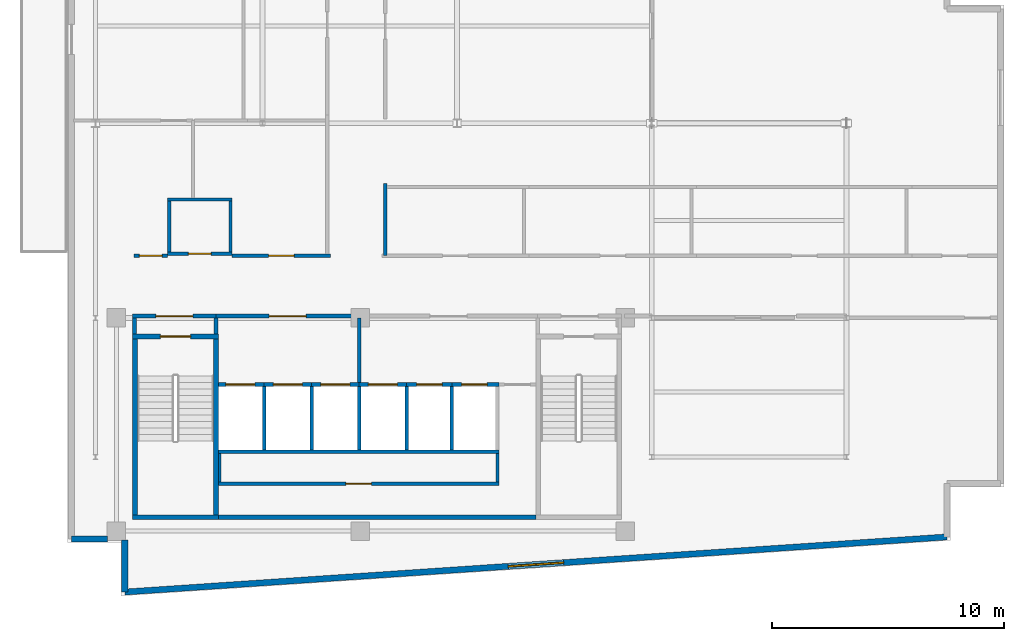
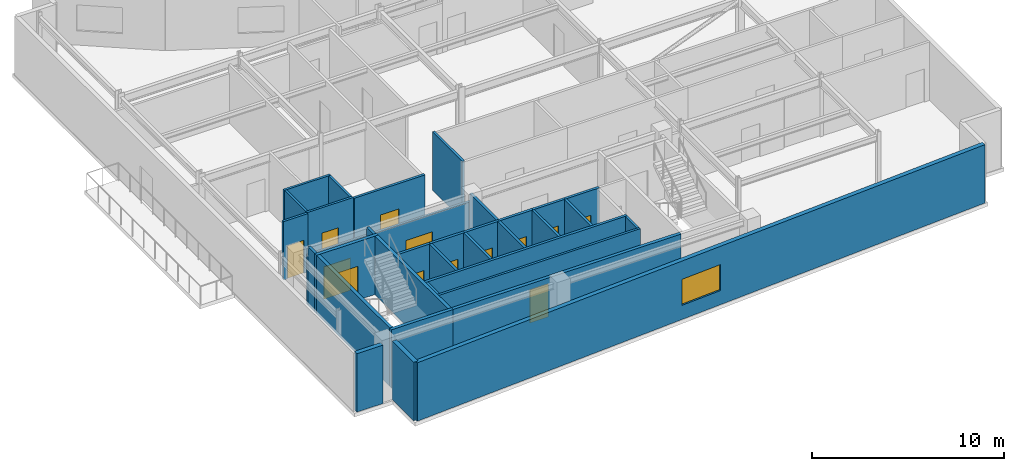
# One storey, part 11 of 16: 35 walls, 13 doors, 1 window, 14 openings.
"""IFC4 building model written with IfcOpenShell, lengths in metres."""

from ifc_helpers import new_model, si_unit, direction, frame, frame_2d, origin, place, context, subcontext, project, spatial, rectangle, extrude, material, layer, layer_set, type_object, element, fill, save


model = new_model("IFC4")

# Units and contexts
model_context = context("Model", 3, precision=1e-05, world=origin(), true_north=direction((0.0, 1.0)))
body_context = subcontext(model_context, "Body", "Model", "MODEL_VIEW")
ifc_project = project(units=[si_unit("LENGTHUNIT", "METRE"), si_unit("AREAUNIT", "SQUARE_METRE"), si_unit("VOLUMEUNIT", "CUBIC_METRE"), si_unit("PLANEANGLEUNIT", "RADIAN"), si_unit("MASSUNIT", "GRAM", prefix="KILO")], contexts=[model_context])

# Site, building, storey
site_placement = place(None, origin())
site = spatial("IfcSite", under=ifc_project, at=site_placement, CompositionType="ELEMENT")
building_placement = place(site_placement, origin())
building = spatial("IfcBuilding", under=site, at=building_placement, Name="Varnakote Quay Hospital", CompositionType="ELEMENT")
storey_placement = place(building_placement, frame((0.0, 0.0, 288.14990234375)))
storey = spatial("IfcBuildingStorey", under=building, at=storey_placement, Name="L71", CompositionType="ELEMENT", Elevation=288.14990234375)

# Wall
ifc_material_1 = material(Name="Fire-rated acoustic gypsum stud wall", Category="gypsum")
ifc_layer_1 = layer(ifc_material_1, 0.159912109375)
ifc_layer_set_1 = layer_set([ifc_layer_1], Name="Fire-rated acoustic gypsum stud wall")
wall_type_1 = type_object("IfcWallType", Name="WL-COMP-160", PredefinedType="PARTITIONING", material=ifc_layer_set_1)
wall_1_placement = place(storey_placement, frame((2.8798828125, 11.300048828125, 0.0), z_axis=(0.0, 0.0, 1.0), x_axis=(0.0, 1.0, 0.0)))
element("IfcWall", 1, at=wall_1_placement, inside=storey, type_object=wall_type_1, Name="L71 West Stair Vestibule West Wall", PredefinedType="PARTITIONING", context=body_context, shape_type="SweptSolid", body=[
    extrude(rectangle(XDim=0.699951171875, YDim=0.159912109375, at=frame_2d((0.35009765625, 0.0))), origin(), (0.0, 0.0, 1.0), 3.710205078125),
])

# Wall, opening, door
wall_2_placement = place(storey_placement, frame((2.800048828125, 12.080078125, 0.0), z_axis=(0.0, 0.0, 1.0), x_axis=(1.0, 0.0, 0.0)))
wall_2 = element("IfcWall", 2, at=wall_2_placement, inside=storey, type_object=wall_type_1, Name="L71 West Stair Vestibule Smoke Wall", PredefinedType="PARTITIONING", context=body_context, shape_type="SweptSolid", body=[
    extrude(rectangle(XDim=3.599853515625, YDim=0.159912109375, at=frame_2d((1.7998046875, 0.0))), origin(), (0.0, 0.0, 1.0), 3.156982421875),
])
opening_1_placement = place(wall_2_placement, frame((1.0, 0.0, 0.0)))
opening_1 = element("IfcOpeningElement", 3, at=opening_1_placement, cuts=wall_2, Name="Opening D-ST1L-L71", PredefinedType="OPENING", context=body_context, shape_type="SweptSolid", body=[
    extrude(rectangle(XDim=1.60009765625, YDim=2.050048828125, at=frame_2d((0.800048828125, 1.02490234375))), frame((0.0, 0.08984375, 0.0), z_axis=(0.0, -1.0, 0.0), x_axis=(1.0, 0.0, 0.0)), (0.0, 0.0, 1.0), 0.179931640625),
])
ifc_material_2 = material(Name="Fire-rated double smoke lobby door")
door_type_1 = type_object("IfcDoorType", Name="DR-LOBBY-FD60S-1600x2150", OperationType="NOTDEFINED", PredefinedType="DOOR", material=ifc_material_2)
door_1_placement = place(opening_1_placement, origin())
door_1 = element("IfcDoor", 4, at=door_1_placement, inside=storey, type_object=door_type_1, Name="L71 West Stair Vestibule Smoke Door", OperationType="DOUBLE_DOOR_SINGLE_SWING", OverallHeight=2.050048828125, OverallWidth=1.60009765625, PredefinedType="DOOR", context=body_context, shape_type="SweptSolid", body=[
    extrude(rectangle(XDim=1.60009765625, YDim=2.050048828125, at=frame_2d((0.800048828125, 1.02490234375))), frame((0.0, 0.02490234375, 0.0), z_axis=(0.0, -1.0, 0.0), x_axis=(1.0, 0.0, 0.0)), (0.0, 0.0, 1.0), 0.050048828125),
])
fill(opening_1, door_1)

# Wall
wall_3_placement = place(storey_placement, frame((6.39990234375, 11.300048828125, 0.0), z_axis=(0.0, 0.0, 1.0), x_axis=(0.0, 1.0, 0.0)))
element("IfcWall", 5, at=wall_3_placement, inside=storey, type_object=wall_type_1, Name="L71 Firefighting Lobby West Wall", PredefinedType="PARTITIONING", context=body_context, shape_type="SweptSolid", body=[
    extrude(rectangle(XDim=0.699951171875, YDim=0.159912109375, at=frame_2d((0.35009765625, 0.0))), origin(), (0.0, 0.0, 1.0), 3.710205078125),
])

# Wall, opening, door
wall_4_placement = place(storey_placement, frame((6.39990234375, 12.080078125, 0.0), z_axis=(0.0, 0.0, 1.0), x_axis=(1.0, 0.0, 0.0)))
wall_4 = element("IfcWall", 6, at=wall_4_placement, inside=storey, type_object=wall_type_1, Name="L71 Firefighting Lift Lobby Compartment Wall", PredefinedType="PARTITIONING", context=body_context, shape_type="SweptSolid", body=[
    extrude(rectangle(XDim=6.18017578125, YDim=0.159912109375, at=frame_2d((3.090087890625, 0.0))), origin(), (0.0, 0.0, 1.0), 3.156982421875),
])
opening_2_placement = place(wall_4_placement, frame((2.2900390625, 0.0, 0.0)))
opening_2 = element("IfcOpeningElement", 7, at=opening_2_placement, cuts=wall_4, Name="Opening D-FFL-L71", PredefinedType="OPENING", context=body_context, shape_type="SweptSolid", body=[
    extrude(rectangle(XDim=1.60009765625, YDim=2.050048828125, at=frame_2d((0.800048828125, 1.02490234375))), frame((0.0, 0.08984375, 0.0), z_axis=(0.0, -1.0, 0.0), x_axis=(1.0, 0.0, 0.0)), (0.0, 0.0, 1.0), 0.179931640625),
])
door_2_placement = place(opening_2_placement, origin())
door_2 = element("IfcDoor", 8, at=door_2_placement, inside=storey, type_object=door_type_1, Name="L71 Firefighting Smoke Vestibule Door", OperationType="DOUBLE_DOOR_SINGLE_SWING", OverallHeight=2.050048828125, OverallWidth=1.60009765625, PredefinedType="DOOR", context=body_context, shape_type="SweptSolid", body=[
    extrude(rectangle(XDim=1.60009765625, YDim=2.050048828125, at=frame_2d((0.800048828125, 1.02490234375))), frame((0.0, 0.02490234375, 0.0), z_axis=(0.0, -1.0, 0.0), x_axis=(1.0, 0.0, 0.0)), (0.0, 0.0, 1.0), 0.050048828125),
])
fill(opening_2, door_2)

# Walls
wall_5_placement = place(storey_placement, frame((12.580078125, 9.2099609375, 0.0), z_axis=(0.0, 0.0, 1.0), x_axis=(0.0, 1.0, 0.0)))
element("IfcWall", 9, at=wall_5_placement, inside=storey, type_object=wall_type_1, Name="L71 Firefighting to Service Lobby Wall", PredefinedType="PARTITIONING", context=body_context, shape_type="SweptSolid", body=[
    extrude(rectangle(XDim=2.7900390625, YDim=0.159912109375, at=frame_2d((1.39501953125, 0.0))), origin(), (0.0, 0.0, 1.0), 3.710205078125),
])
ifc_material_3 = material(Name="Concrete N50 (f'c 50 MPa)", Category="concrete")
ifc_layer_2 = layer(ifc_material_3, 0.199951171875)
ifc_layer_set_2 = layer_set([ifc_layer_2], Name="Concrete N50 (f'c 50 MPa)")
wall_type_2 = type_object("IfcWallType", Name="WL-CORE-N50-200", PredefinedType="SHEAR", material=ifc_layer_set_2)
wall_6_placement = place(storey_placement, frame((6.5, 3.39990234375, 0.0), z_axis=(0.0, 0.0, 1.0), x_axis=(1.0, 0.0, 0.0)))
element("IfcWall", 10, at=wall_6_placement, inside=storey, type_object=wall_type_2, Name="L71 Rear Core South Shear Wall", PredefinedType="SHEAR", context=body_context, shape_type="SweptSolid", body=[
    extrude(rectangle(XDim=13.699951171875, YDim=0.199951171875, at=frame_2d((6.85009765625, 0.0))), origin(), (0.0, 0.0, 1.0), 3.710205078125),
])
ifc_material_4 = material(Name="Precast concrete N50 (f'c 50 MPa)", Category="concrete")
ifc_layer_3 = layer(ifc_material_4, 0.260009765625)
ifc_layer_set_3 = layer_set([ifc_layer_3], Name="Precast concrete N50 (f'c 50 MPa)")
wall_type_3 = type_object("IfcWallType", Name="WL-EXT-BRICK-260", PredefinedType="STANDARD", material=ifc_layer_set_3)
wall_7_placement = place(storey_placement, frame((2.4599609375, 2.4150390625, 0.0), z_axis=(0.0, 0.0, 1.0), x_axis=(0.0, -1.0, 0.0)))
element("IfcWall", 11, at=wall_7_placement, inside=storey, type_object=wall_type_3, Name="L71 Brick-Faced Precast Exterior Wall", PredefinedType="STANDARD", context=body_context, shape_type="SweptSolid", body=[
    extrude(rectangle(XDim=2.243896484375, YDim=0.260009765625, at=frame_2d((1.1220703125, 0.0))), origin(), (0.0, 0.0, 1.0), 3.710205078125),
])

# Wall, opening, window
wall_8_placement = place(storey_placement, frame((2.4599609375, 0.171142578125, 0.0), z_axis=(0.0, 0.0, 1.0), x_axis=(0.997760665813, 0.066885377746, 0.0)))
wall_8 = element("IfcWall", 12, at=wall_8_placement, inside=storey, type_object=wall_type_3, Name="L71 Brick-Faced Precast Exterior Wall", PredefinedType="STANDARD", context=body_context, shape_type="SweptSolid", body=[
    extrude(rectangle(XDim=35.5595703125, YDim=0.260009765625, at=frame_2d((17.77978515625, 0.0))), origin(), (0.0, 0.0, 1.0), 3.710205078125),
])
opening_3_placement = place(wall_8_placement, frame((16.579833984375, 0.0, 0.89990234375)))
opening_3 = element("IfcOpeningElement", 13, at=opening_3_placement, cuts=wall_8, Name="Opening WN-0286", PredefinedType="OPENING", context=body_context, shape_type="SweptSolid", body=[
    extrude(rectangle(XDim=2.39990234375, YDim=1.64990234375, at=frame_2d((1.199951171875, 0.824951171875))), frame((0.0, 0.139892578125, 0.0), z_axis=(0.0, -1.0, 0.0), x_axis=(1.0, 0.0, 0.0)), (0.0, 0.0, 1.0), 0.280029296875),
])
ifc_material_5 = material(Name="Double-glazed low-E solar glass", Category="glass")
window_type = type_object("IfcWindowType", Name="WIN-CLIN-2400x1650", PartitioningType="SINGLE_PANEL", PredefinedType="WINDOW", material=ifc_material_5)
window_placement = place(opening_3_placement, origin())
window = element("IfcWindow", 14, at=window_placement, inside=storey, type_object=window_type, Name="L71 Solar-Control Clinical Window", OverallHeight=1.64990234375, OverallWidth=2.39990234375, PartitioningType="SINGLE_PANEL", PredefinedType="WINDOW", context=body_context, shape_type="SweptSolid", body=[
    extrude(rectangle(XDim=2.39990234375, YDim=1.64990234375, at=frame_2d((1.199951171875, 0.824951171875))), frame((0.0, 0.030029296875, 0.0), z_axis=(0.0, -1.0, 0.0), x_axis=(1.0, 0.0, 0.0)), (0.0, 0.0, 1.0), 0.06005859375),
])
fill(opening_3, window)

# Walls
wall_9_placement = place(storey_placement, frame((0.159912109375, 2.4599609375, 0.0), z_axis=(0.0, 0.0, 1.0), x_axis=(1.0, 0.0, 0.0)))
element("IfcWall", 15, at=wall_9_placement, inside=storey, type_object=wall_type_3, Name="L71 Brick-Faced Precast Exterior Wall", PredefinedType="STANDARD", context=body_context, shape_type="SweptSolid", body=[
    extrude(rectangle(XDim=1.55517578125, YDim=0.260009765625, at=frame_2d((0.777587890625, 0.0))), origin(), (0.0, 0.0, 1.0), 3.710205078125),
])
ifc_material_6 = material(Name="Concrete N50 (f'c 50 MPa)", Category="concrete")
ifc_layer_4 = layer(ifc_material_6, 0.14990234375)
ifc_layer_set_4 = layer_set([ifc_layer_4], Name="Concrete N50 (f'c 50 MPa)")
wall_type_4 = type_object("IfcWallType", Name="WL-SHAFT-N50-150", PredefinedType="SHEAR", material=ifc_layer_set_4)
for number, where, z_axis, x_axis, name in (
    (16, (8.47509765625, 6.300048828125, 0.0), (0.0, 0.0, 1.0), (0.0, 1.0, 0.0), "L71 LF-FF1 Hoistway Divider Wall"),
    (17, (10.52490234375, 6.300048828125, 0.0), (0.0, 0.0, 1.0), (0.0, 1.0, 0.0), "L71 LF-FF2 Hoistway Divider Wall"),
    (18, (12.574951171875, 6.300048828125, 0.0), (0.0, 0.0, 1.0), (0.0, 1.0, 0.0), "L71 LF-SV1 Hoistway Divider Wall"),
    (19, (14.625, 6.300048828125, 0.0), (0.0, 0.0, 1.0), (0.0, 1.0, 0.0), "L71 LF-SV2 Hoistway Divider Wall"),
    (20, (16.574951171875, 6.300048828125, 0.0), (0.0, 0.0, 1.0), (0.0, 1.0, 0.0), "L71 LF-PH1 Hoistway Divider Wall"),
):
    element("IfcWall", number, at=place(storey_placement, frame(where, z_axis=z_axis, x_axis=x_axis)), inside=storey, type_object=wall_type_4, Name=name, PredefinedType="SHEAR", context=body_context, shape_type="SweptSolid", body=[
        extrude(rectangle(XDim=2.75, YDim=0.14990234375, at=frame_2d((1.375, 0.0))), origin(), (0.0, 0.0, 1.0), 3.710205078125),
    ])
ifc_material_7 = material(Name="Concrete N50 (f'c 50 MPa)", Category="concrete")
ifc_layer_5 = layer(ifc_material_7, 0.159912109375)
ifc_layer_set_5 = layer_set([ifc_layer_5], Name="Concrete N50 (f'c 50 MPa)")
wall_type_5 = type_object("IfcWallType", Name="WL-SHAFT-N50-160", PredefinedType="SHEAR", material=ifc_layer_set_5)
wall_10_placement = place(storey_placement, frame((6.5, 6.219970703125, 0.0), z_axis=(0.0, 0.0, 1.0), x_axis=(1.0, 0.0, 0.0)))
element("IfcWall", 21, at=wall_10_placement, inside=storey, type_object=wall_type_5, Name="L71 REAR Lift Bank Back Shear Wall", PredefinedType="SHEAR", context=body_context, shape_type="SweptSolid", body=[
    extrude(rectangle(XDim=12.110107421875, YDim=0.159912109375, at=frame_2d((6.05517578125, 0.0))), origin(), (0.0, 0.0, 1.0), 3.710205078125),
])

# Wall, opening, door
wall_11_placement = place(storey_placement, frame((6.5, 9.1298828125, 0.0), z_axis=(0.0, 0.0, 1.0), x_axis=(1.0, 0.0, 0.0)))
wall_11 = element("IfcWall", 22, at=wall_11_placement, inside=storey, type_object=wall_type_5, Name="L71 LF-FF1 Hoistway Front Wall", PredefinedType="SHEAR", context=body_context, shape_type="SweptSolid", body=[
    extrude(rectangle(XDim=1.97509765625, YDim=0.159912109375, at=frame_2d((0.987548828125, 0.0))), origin(), (0.0, 0.0, 1.0), 3.710205078125),
])
opening_4_placement = place(wall_11_placement, frame((0.324951171875, 0.0, 0.0)))
opening_4 = element("IfcOpeningElement", 23, at=opening_4_placement, cuts=wall_11, Name="Opening LD-FF1-L71", PredefinedType="OPENING", context=body_context, shape_type="SweptSolid", body=[
    extrude(rectangle(XDim=1.25, YDim=2.14990234375, at=frame_2d((0.625, 1.074951171875))), frame((0.0, 0.08984375, 0.0), z_axis=(0.0, -1.0, 0.0), x_axis=(1.0, 0.0, 0.0)), (0.0, 0.0, 1.0), 0.179931640625),
])
ifc_material_8 = material(Name="Stainless steel lift landing sliding door", Category="steel")
door_type_2 = type_object("IfcDoorType", Name="DR-LIFT-LD-1250x2150", OperationType="NOTDEFINED", PredefinedType="DOOR", material=ifc_material_8)
door_3_placement = place(opening_4_placement, origin())
door_3 = element("IfcDoor", 24, at=door_3_placement, inside=storey, type_object=door_type_2, Name="L71 LF-FF1 Lift Landing Sliding Door", OperationType="SLIDING_TO_LEFT", OverallHeight=2.14990234375, OverallWidth=1.25, PredefinedType="DOOR", context=body_context, shape_type="SweptSolid", body=[
    extrude(rectangle(XDim=1.25, YDim=2.14990234375, at=frame_2d((0.625, 1.074951171875))), frame((0.0, 0.02490234375, 0.0), z_axis=(0.0, -1.0, 0.0), x_axis=(1.0, 0.0, 0.0)), (0.0, 0.0, 1.0), 0.050048828125),
])
fill(opening_4, door_3)

wall_12_placement = place(storey_placement, frame((8.47509765625, 9.1298828125, 0.0), z_axis=(0.0, 0.0, 1.0), x_axis=(1.0, 0.0, 0.0)))
wall_12 = element("IfcWall", 25, at=wall_12_placement, inside=storey, type_object=wall_type_5, Name="L71 LF-FF2 Hoistway Front Wall", PredefinedType="SHEAR", context=body_context, shape_type="SweptSolid", body=[
    extrude(rectangle(XDim=2.0498046875, YDim=0.159912109375, at=frame_2d((1.02490234375, 0.0))), origin(), (0.0, 0.0, 1.0), 3.710205078125),
])
opening_5_placement = place(wall_12_placement, frame((0.39990234375, 0.0, 0.0)))
opening_5 = element("IfcOpeningElement", 26, at=opening_5_placement, cuts=wall_12, Name="Opening LD-FF2-L71", PredefinedType="OPENING", context=body_context, shape_type="SweptSolid", body=[
    extrude(rectangle(XDim=1.25, YDim=2.14990234375, at=frame_2d((0.625, 1.074951171875))), frame((0.0, 0.08984375, 0.0), z_axis=(0.0, -1.0, 0.0), x_axis=(1.0, 0.0, 0.0)), (0.0, 0.0, 1.0), 0.179931640625),
])
door_4_placement = place(opening_5_placement, origin())
door_4 = element("IfcDoor", 27, at=door_4_placement, inside=storey, type_object=door_type_2, Name="L71 LF-FF2 Lift Landing Sliding Door", OperationType="SLIDING_TO_LEFT", OverallHeight=2.14990234375, OverallWidth=1.25, PredefinedType="DOOR", context=body_context, shape_type="SweptSolid", body=[
    extrude(rectangle(XDim=1.25, YDim=2.14990234375, at=frame_2d((0.625, 1.074951171875))), frame((0.0, 0.02490234375, 0.0), z_axis=(0.0, -1.0, 0.0), x_axis=(1.0, 0.0, 0.0)), (0.0, 0.0, 1.0), 0.050048828125),
])
fill(opening_5, door_4)

wall_13_placement = place(storey_placement, frame((10.52490234375, 9.1298828125, 0.0), z_axis=(0.0, 0.0, 1.0), x_axis=(1.0, 0.0, 0.0)))
wall_13 = element("IfcWall", 28, at=wall_13_placement, inside=storey, type_object=wall_type_5, Name="L71 LF-SV1 Hoistway Front Wall", PredefinedType="SHEAR", context=body_context, shape_type="SweptSolid", body=[
    extrude(rectangle(XDim=2.050048828125, YDim=0.159912109375, at=frame_2d((1.02490234375, 0.0))), origin(), (0.0, 0.0, 1.0), 3.710205078125),
])
opening_6_placement = place(wall_13_placement, frame((0.39990234375, 0.0, 0.0)))
opening_6 = element("IfcOpeningElement", 29, at=opening_6_placement, cuts=wall_13, Name="Opening LD-SV1-L71", PredefinedType="OPENING", context=body_context, shape_type="SweptSolid", body=[
    extrude(rectangle(XDim=1.25, YDim=2.14990234375, at=frame_2d((0.625, 1.074951171875))), frame((0.0, 0.08984375, 0.0), z_axis=(0.0, -1.0, 0.0), x_axis=(1.0, 0.0, 0.0)), (0.0, 0.0, 1.0), 0.179931640625),
])
door_5_placement = place(opening_6_placement, origin())
door_5 = element("IfcDoor", 30, at=door_5_placement, inside=storey, type_object=door_type_2, Name="L71 LF-SV1 Lift Landing Sliding Door", OperationType="SLIDING_TO_LEFT", OverallHeight=2.14990234375, OverallWidth=1.25, PredefinedType="DOOR", context=body_context, shape_type="SweptSolid", body=[
    extrude(rectangle(XDim=1.25, YDim=2.14990234375, at=frame_2d((0.625, 1.074951171875))), frame((0.0, 0.02490234375, 0.0), z_axis=(0.0, -1.0, 0.0), x_axis=(1.0, 0.0, 0.0)), (0.0, 0.0, 1.0), 0.050048828125),
])
fill(opening_6, door_5)

wall_14_placement = place(storey_placement, frame((12.574951171875, 9.1298828125, 0.0), z_axis=(0.0, 0.0, 1.0), x_axis=(1.0, 0.0, 0.0)))
wall_14 = element("IfcWall", 31, at=wall_14_placement, inside=storey, type_object=wall_type_5, Name="L71 LF-SV2 Hoistway Front Wall", PredefinedType="SHEAR", context=body_context, shape_type="SweptSolid", body=[
    extrude(rectangle(XDim=2.050048828125, YDim=0.159912109375, at=frame_2d((1.02490234375, 0.0))), origin(), (0.0, 0.0, 1.0), 3.710205078125),
])
opening_7_placement = place(wall_14_placement, frame((0.39990234375, 0.0, 0.0)))
opening_7 = element("IfcOpeningElement", 32, at=opening_7_placement, cuts=wall_14, Name="Opening LD-SV2-L71", PredefinedType="OPENING", context=body_context, shape_type="SweptSolid", body=[
    extrude(rectangle(XDim=1.25, YDim=2.14990234375, at=frame_2d((0.625, 1.074951171875))), frame((0.0, 0.08984375, 0.0), z_axis=(0.0, -1.0, 0.0), x_axis=(1.0, 0.0, 0.0)), (0.0, 0.0, 1.0), 0.179931640625),
])
door_6_placement = place(opening_7_placement, origin())
door_6 = element("IfcDoor", 33, at=door_6_placement, inside=storey, type_object=door_type_2, Name="L71 LF-SV2 Lift Landing Sliding Door", OperationType="SLIDING_TO_LEFT", OverallHeight=2.14990234375, OverallWidth=1.25, PredefinedType="DOOR", context=body_context, shape_type="SweptSolid", body=[
    extrude(rectangle(XDim=1.25, YDim=2.14990234375, at=frame_2d((0.625, 1.074951171875))), frame((0.0, 0.02490234375, 0.0), z_axis=(0.0, -1.0, 0.0), x_axis=(1.0, 0.0, 0.0)), (0.0, 0.0, 1.0), 0.050048828125),
])
fill(opening_7, door_6)

wall_15_placement = place(storey_placement, frame((14.625, 9.1298828125, 0.0), z_axis=(0.0, 0.0, 1.0), x_axis=(1.0, 0.0, 0.0)))
wall_15 = element("IfcWall", 34, at=wall_15_placement, inside=storey, type_object=wall_type_5, Name="L71 LF-PH1 Hoistway Front Wall", PredefinedType="SHEAR", context=body_context, shape_type="SweptSolid", body=[
    extrude(rectangle(XDim=1.949951171875, YDim=0.159912109375, at=frame_2d((0.97509765625, 0.0))), origin(), (0.0, 0.0, 1.0), 3.710205078125),
])
opening_8_placement = place(wall_15_placement, frame((0.425048828125, 0.0, 0.0)))
opening_8 = element("IfcOpeningElement", 35, at=opening_8_placement, cuts=wall_15, Name="Opening LD-PH1-L71", PredefinedType="OPENING", context=body_context, shape_type="SweptSolid", body=[
    extrude(rectangle(XDim=1.10009765625, YDim=2.14990234375, at=frame_2d((0.550048828125, 1.074951171875))), frame((0.0, 0.08984375, 0.0), z_axis=(0.0, -1.0, 0.0), x_axis=(1.0, 0.0, 0.0)), (0.0, 0.0, 1.0), 0.179931640625),
])
ifc_material_9 = material(Name="Brushed bronze lift landing sliding door")
door_type_3 = type_object("IfcDoorType", Name="DR-LIFT-LD-1100x2150", OperationType="NOTDEFINED", PredefinedType="DOOR", material=ifc_material_9)
door_7_placement = place(opening_8_placement, origin())
door_7 = element("IfcDoor", 36, at=door_7_placement, inside=storey, type_object=door_type_3, Name="L71 LF-PH1 Lift Landing Sliding Door", OperationType="SLIDING_TO_LEFT", OverallHeight=2.14990234375, OverallWidth=1.10009765625, PredefinedType="DOOR", context=body_context, shape_type="SweptSolid", body=[
    extrude(rectangle(XDim=1.10009765625, YDim=2.14990234375, at=frame_2d((0.550048828125, 1.074951171875))), frame((0.0, 0.02490234375, 0.0), z_axis=(0.0, -1.0, 0.0), x_axis=(1.0, 0.0, 0.0)), (0.0, 0.0, 1.0), 0.050048828125),
])
fill(opening_8, door_7)

wall_16_placement = place(storey_placement, frame((16.574951171875, 9.1298828125, 0.0), z_axis=(0.0, 0.0, 1.0), x_axis=(1.0, 0.0, 0.0)))
wall_16 = element("IfcWall", 37, at=wall_16_placement, inside=storey, type_object=wall_type_5, Name="L71 LF-PH2 Hoistway Front Wall", PredefinedType="SHEAR", context=body_context, shape_type="SweptSolid", body=[
    extrude(rectangle(XDim=2.03515625, YDim=0.159912109375, at=frame_2d((1.017578125, 0.0))), origin(), (0.0, 0.0, 1.0), 3.710205078125),
])
opening_9_placement = place(wall_16_placement, frame((0.425048828125, 0.0, 0.0)))
opening_9 = element("IfcOpeningElement", 38, at=opening_9_placement, cuts=wall_16, Name="Opening LD-PH2-L71", PredefinedType="OPENING", context=body_context, shape_type="SweptSolid", body=[
    extrude(rectangle(XDim=1.10009765625, YDim=2.14990234375, at=frame_2d((0.550048828125, 1.074951171875))), frame((0.0, 0.08984375, 0.0), z_axis=(0.0, -1.0, 0.0), x_axis=(1.0, 0.0, 0.0)), (0.0, 0.0, 1.0), 0.179931640625),
])
door_8_placement = place(opening_9_placement, origin())
door_8 = element("IfcDoor", 39, at=door_8_placement, inside=storey, type_object=door_type_3, Name="L71 LF-PH2 Lift Landing Sliding Door", OperationType="SLIDING_TO_LEFT", OverallHeight=2.14990234375, OverallWidth=1.10009765625, PredefinedType="DOOR", context=body_context, shape_type="SweptSolid", body=[
    extrude(rectangle(XDim=1.10009765625, YDim=2.14990234375, at=frame_2d((0.550048828125, 1.074951171875))), frame((0.0, 0.02490234375, 0.0), z_axis=(0.0, -1.0, 0.0), x_axis=(1.0, 0.0, 0.0)), (0.0, 0.0, 1.0), 0.050048828125),
])
fill(opening_9, door_8)

# Walls
ifc_material_10 = material(Name="Concrete N50 (f'c 50 MPa)", Category="concrete")
ifc_layer_6 = layer(ifc_material_10, 0.199951171875)
ifc_layer_set_6 = layer_set([ifc_layer_6], Name="Concrete N50 (f'c 50 MPa)")
wall_type_6 = type_object("IfcWallType", Name="WL-SHAFT-N50-200", PredefinedType="SHEAR", material=ifc_layer_set_6)
wall_17_placement = place(storey_placement, frame((2.800048828125, 3.39990234375, 0.0), z_axis=(0.0, 0.0, 1.0), x_axis=(1.0, 0.0, 0.0)))
element("IfcWall", 40, at=wall_17_placement, inside=storey, type_object=wall_type_6, Name="L71 Stair ST1 South Shaft Wall", PredefinedType="SHEAR", context=body_context, shape_type="SweptSolid", body=[
    extrude(rectangle(XDim=3.699951171875, YDim=0.199951171875, at=frame_2d((1.85009765625, 0.0))), origin(), (0.0, 0.0, 1.0), 3.710205078125),
])
for number, where, z_axis, x_axis, name in (
    (41, (2.89990234375, 3.5, 0.0), (0.0, 0.0, 1.0), (0.0, 1.0, 0.0), "L71 Stair ST1 West Shaft Wall"),
    (42, (6.39990234375, 3.5, 0.0), (0.0, 0.0, 1.0), (0.0, 1.0, 0.0), "L71 Stair ST1 East Shaft Wall"),
):
    element("IfcWall", number, at=place(storey_placement, frame(where, z_axis=z_axis, x_axis=x_axis)), inside=storey, type_object=wall_type_6, Name=name, PredefinedType="SHEAR", context=body_context, shape_type="SweptSolid", body=[
        extrude(rectangle(XDim=7.60009765625, YDim=0.199951171875, at=frame_2d((3.800048828125, 0.0))), origin(), (0.0, 0.0, 1.0), 3.710205078125),
    ])

# Wall, opening, door
wall_18_placement = place(storey_placement, frame((2.800048828125, 11.199951171875, 0.0), z_axis=(0.0, 0.0, 1.0), x_axis=(1.0, 0.0, 0.0)))
wall_18 = element("IfcWall", 43, at=wall_18_placement, inside=storey, type_object=wall_type_6, Name="L71 Stair ST1 Exit Wall", PredefinedType="SHEAR", context=body_context, shape_type="SweptSolid", body=[
    extrude(rectangle(XDim=3.699951171875, YDim=0.199951171875, at=frame_2d((1.85009765625, 0.0))), origin(), (0.0, 0.0, 1.0), 3.710205078125),
])
opening_10_placement = place(wall_18_placement, frame((1.199951171875, 0.0, 0.0)))
opening_10 = element("IfcOpeningElement", 44, at=opening_10_placement, cuts=wall_18, Name="Opening D-ST1-L71", PredefinedType="OPENING", context=body_context, shape_type="SweptSolid", body=[
    extrude(rectangle(XDim=1.300048828125, YDim=2.14990234375, at=frame_2d((0.64990234375, 1.074951171875))), frame((0.0, 0.10986328125, 0.0), z_axis=(0.0, -1.0, 0.0), x_axis=(1.0, 0.0, 0.0)), (0.0, 0.0, 1.0), 0.219970703125),
])
ifc_material_11 = material(Name="Fire-rated ceramic-glazed timber exit door", Category="wood")
door_type_4 = type_object("IfcDoorType", Name="DR-STAIR-FD60S-1300x2150", OperationType="NOTDEFINED", PredefinedType="DOOR", material=ifc_material_11)
door_9_placement = place(opening_10_placement, origin())
door_9 = element("IfcDoor", 45, at=door_9_placement, inside=storey, type_object=door_type_4, Name="L71 Stair ST1 Fire Exit Door", OperationType="SINGLE_SWING_RIGHT", OverallHeight=2.14990234375, OverallWidth=1.300048828125, PredefinedType="DOOR", context=body_context, shape_type="SweptSolid", body=[
    extrude(rectangle(XDim=1.300048828125, YDim=2.14990234375, at=frame_2d((0.64990234375, 1.074951171875))), frame((0.0, 0.02490234375, 0.0), z_axis=(0.0, -1.0, 0.0), x_axis=(1.0, 0.0, 0.0)), (0.0, 0.0, 1.0), 0.050048828125),
])
fill(opening_10, door_9)

# Walls
ifc_material_12 = material(Name="Smoke-proof clinical partition", Category="gypsum")
ifc_layer_7 = layer(ifc_material_12, 0.1201171875)
ifc_layer_set_7 = layer_set([ifc_layer_7], Name="Smoke-proof clinical partition")
wall_type_7 = type_object("IfcWallType", Name="WL-SMOKE-120", PredefinedType="PARTITIONING", material=ifc_layer_set_7)
for number, where, z_axis, x_axis, name in (
    (46, (6.56005859375, 4.919921875, 0.0), (0.0, 0.0, 1.0), (0.0, 1.0, 0.0), "L71 Core Service Strip West Wall"),
    (47, (18.5400390625, 4.919921875, 0.0), (0.0, 0.0, 1.0), (0.0, 1.0, 0.0), "L71 Core Service Strip East Wall"),
):
    element("IfcWall", number, at=place(storey_placement, frame(where, z_axis=z_axis, x_axis=x_axis)), inside=storey, type_object=wall_type_7, Name=name, PredefinedType="PARTITIONING", context=body_context, shape_type="SweptSolid", body=[
        extrude(rectangle(XDim=1.219970703125, YDim=0.1201171875, at=frame_2d((0.60986328125, 0.0))), origin(), (0.0, 0.0, 1.0), 3.710205078125),
    ])

# Wall, opening, door
ifc_material_13 = material(Name="Fire-rated clinical gypsum partition", Category="gypsum")
ifc_layer_8 = layer(ifc_material_13, 0.139892578125)
ifc_layer_set_8 = layer_set([ifc_layer_8], Name="Fire-rated clinical gypsum partition")
wall_type_8 = type_object("IfcWallType", Name="WL-WARD-140", PredefinedType="PARTITIONING", material=ifc_layer_set_8)
wall_19_placement = place(storey_placement, frame((6.5, 4.85009765625, 0.0), z_axis=(0.0, 0.0, 1.0), x_axis=(1.0, 0.0, 0.0)))
wall_19 = element("IfcWall", 48, at=wall_19_placement, inside=storey, type_object=wall_type_8, Name="L71 Core Clean Linen Store South Wall", PredefinedType="PARTITIONING", context=body_context, shape_type="SweptSolid", body=[
    extrude(rectangle(XDim=12.10009765625, YDim=0.139892578125, at=frame_2d((6.050048828125, 0.0))), origin(), (0.0, 0.0, 1.0), 3.710205078125),
])
opening_11_placement = place(wall_19_placement, frame((5.5, 0.0, 0.0)))
opening_11 = element("IfcOpeningElement", 49, at=opening_11_placement, cuts=wall_19, Name="Opening D-L71-CR01", PredefinedType="OPENING", context=body_context, shape_type="SweptSolid", body=[
    extrude(rectangle(XDim=1.10009765625, YDim=2.10009765625, at=frame_2d((0.550048828125, 1.050048828125))), frame((0.0, 0.079833984375, 0.0), z_axis=(0.0, -1.0, 0.0), x_axis=(1.0, 0.0, 0.0)), (0.0, 0.0, 1.0), 0.159912109375),
])
ifc_material_14 = material(Name="Acoustic timber clinical consult door", Category="wood")
door_type_5 = type_object("IfcDoorType", Name="DR-CLIN-FD30S-1100x2100", OperationType="NOTDEFINED", PredefinedType="DOOR", material=ifc_material_14)
door_10_placement = place(opening_11_placement, origin())
door_10 = element("IfcDoor", 50, at=door_10_placement, inside=storey, type_object=door_type_5, Name="L71 Core Clean Linen Store Door", OperationType="SINGLE_SWING_RIGHT", OverallHeight=2.10009765625, OverallWidth=1.10009765625, PredefinedType="DOOR", context=body_context, shape_type="SweptSolid", body=[
    extrude(rectangle(XDim=1.10009765625, YDim=2.10009765625, at=frame_2d((0.550048828125, 1.050048828125))), frame((0.0, 0.02490234375, 0.0), z_axis=(0.0, -1.0, 0.0), x_axis=(1.0, 0.0, 0.0)), (0.0, 0.0, 1.0), 0.050048828125),
])
fill(opening_11, door_10)

wall_20_placement = place(storey_placement, frame((4.31005859375, 14.77001953125, 0.0), z_axis=(0.0, 0.0, 1.0), x_axis=(1.0, 0.0, 0.0)))
wall_20 = element("IfcWall", 51, at=wall_20_placement, inside=storey, type_object=wall_type_8, Name="L71 Floor Unisex Accessible WC S Wall", PredefinedType="PARTITIONING", context=body_context, shape_type="SweptSolid", body=[
    extrude(rectangle(XDim=2.780029296875, YDim=0.139892578125, at=frame_2d((1.39013671875, 0.0))), origin(), (0.0, 0.0, 1.0), 3.710205078125),
])
opening_12_placement = place(wall_20_placement, frame((0.89990234375, 0.0, 0.0)))
opening_12 = element("IfcOpeningElement", 52, at=opening_12_placement, cuts=wall_20, Name="Opening D-L71-EW01", PredefinedType="OPENING", context=body_context, shape_type="SweptSolid", body=[
    extrude(rectangle(XDim=0.97998046875, YDim=2.10009765625, at=frame_2d((0.489990234375, 1.050048828125))), frame((0.0, 0.079833984375, 0.0), z_axis=(0.0, -1.0, 0.0), x_axis=(1.0, 0.0, 0.0)), (0.0, 0.0, 1.0), 0.159912109375),
])
ifc_material_15 = material(Name="Accessible sanitary compartment door")
door_type_6 = type_object("IfcDoorType", Name="DR-WC-980x2100", OperationType="NOTDEFINED", PredefinedType="DOOR", material=ifc_material_15)
door_11_placement = place(opening_12_placement, origin())
door_11 = element("IfcDoor", 53, at=door_11_placement, inside=storey, type_object=door_type_6, Name="L71 Floor Unisex Accessible WC Door", OperationType="SINGLE_SWING_RIGHT", OverallHeight=2.10009765625, OverallWidth=0.97998046875, PredefinedType="DOOR", context=body_context, shape_type="SweptSolid", body=[
    extrude(rectangle(XDim=0.97998046875, YDim=2.10009765625, at=frame_2d((0.489990234375, 1.050048828125))), frame((0.0, 0.02490234375, 0.0), z_axis=(0.0, -1.0, 0.0), x_axis=(1.0, 0.0, 0.0)), (0.0, 0.0, 1.0), 0.050048828125),
])
fill(opening_12, door_11)

# Walls
wall_21_placement = place(storey_placement, frame((4.31005859375, 17.110107421875, 0.0), z_axis=(0.0, 0.0, 1.0), x_axis=(1.0, 0.0, 0.0)))
element("IfcWall", 54, at=wall_21_placement, inside=storey, type_object=wall_type_8, Name="L71 Floor Unisex Accessible WC N Wall", PredefinedType="PARTITIONING", context=body_context, shape_type="SweptSolid", body=[
    extrude(rectangle(XDim=2.780029296875, YDim=0.139892578125, at=frame_2d((1.39013671875, 0.0))), origin(), (0.0, 0.0, 1.0), 3.710205078125),
])
for number, where, z_axis, x_axis, name in (
    (55, (4.3798828125, 14.840087890625, 0.0), (0.0, 0.0, 1.0), (0.0, 1.0, 0.0), "L71 Floor Unisex Accessible WC W Wall"),
    (56, (7.02001953125, 14.840087890625, 0.0), (0.0, 0.0, 1.0), (0.0, 1.0, 0.0), "L71 Floor Unisex Accessible WC E Wall"),
):
    element("IfcWall", number, at=place(storey_placement, frame(where, z_axis=z_axis, x_axis=x_axis)), inside=storey, type_object=wall_type_8, Name=name, PredefinedType="PARTITIONING", context=body_context, shape_type="SweptSolid", body=[
        extrude(rectangle(XDim=2.199951171875, YDim=0.139892578125, at=frame_2d((1.10009765625, 0.0))), origin(), (0.0, 0.0, 1.0), 3.710205078125),
    ])

# Wall, opening, door
ifc_material_16 = material(Name="Fire-rated clinical gypsum partition", Category="gypsum")
ifc_layer_9 = layer(ifc_material_16, 0.14990234375)
ifc_layer_set_9 = layer_set([ifc_layer_9], Name="Fire-rated clinical gypsum partition")
wall_type_9 = type_object("IfcWallType", Name="WL-WARD-150", PredefinedType="PARTITIONING", material=ifc_layer_set_9)
wall_22_placement = place(storey_placement, frame((4.30810546875, 14.679931640625, 0.0), z_axis=(0.0, 0.0, 1.0), x_axis=(-1.0, 0.0, 0.0)))
wall_22 = element("IfcWall", 57, at=wall_22_placement, inside=storey, type_object=wall_type_9, Name="L71 Clinical Interior Partition", PredefinedType="PARTITIONING", context=body_context, shape_type="SweptSolid", body=[
    extrude(rectangle(XDim=1.4580078125, YDim=0.14990234375, at=frame_2d((0.72900390625, 0.0))), origin(), (0.0, 0.0, 1.0), 3.710205078125),
])
opening_13_placement = place(wall_22_placement, frame((0.239013671875, 0.0, 0.0)))
opening_13 = element("IfcOpeningElement", 58, at=opening_13_placement, cuts=wall_22, Name="Opening D-L71-MD01", PredefinedType="OPENING", context=body_context, shape_type="SweptSolid", body=[
    extrude(rectangle(XDim=0.97998046875, YDim=2.10009765625, at=frame_2d((0.489990234375, 1.050048828125))), frame((0.0, 0.0849609375, 0.0), z_axis=(0.0, -1.0, 0.0), x_axis=(1.0, 0.0, 0.0)), (0.0, 0.0, 1.0), 0.169921875),
])
door_12_placement = place(opening_13_placement, origin())
door_12 = element("IfcDoor", 59, at=door_12_placement, inside=storey, type_object=door_type_6, Name="L71 Patient Restorative Dining Room Door", OperationType="SINGLE_SWING_LEFT", OverallHeight=2.10009765625, OverallWidth=0.97998046875, PredefinedType="DOOR", context=body_context, shape_type="SweptSolid", body=[
    extrude(rectangle(XDim=0.97998046875, YDim=2.10009765625, at=frame_2d((0.489990234375, 1.050048828125))), frame((0.0, 0.02490234375, 0.0), z_axis=(0.0, -1.0, 0.0), x_axis=(1.0, 0.0, 0.0)), (0.0, 0.0, 1.0), 0.050048828125),
])
fill(opening_13, door_12)

wall_23_placement = place(storey_placement, frame((11.345947265625, 14.679931640625, 0.0), z_axis=(0.0, 0.0, 1.0), x_axis=(-1.0, 0.0, 0.0)))
wall_23 = element("IfcWall", 60, at=wall_23_placement, inside=storey, type_object=wall_type_9, Name="L71 Clinical Interior Partition", PredefinedType="PARTITIONING", context=body_context, shape_type="SweptSolid", body=[
    extrude(rectangle(XDim=4.25390625, YDim=0.14990234375, at=frame_2d((2.126953125, 0.0))), origin(), (0.0, 0.0, 1.0), 3.710205078125),
])
opening_14_placement = place(wall_23_placement, frame((1.576904296875, 0.0, 0.0)))
opening_14 = element("IfcOpeningElement", 61, at=opening_14_placement, cuts=wall_23, Name="Opening D-L71-MD02", PredefinedType="OPENING", context=body_context, shape_type="SweptSolid", body=[
    extrude(rectangle(XDim=1.10009765625, YDim=2.10009765625, at=frame_2d((0.550048828125, 1.050048828125))), frame((0.0, 0.0849609375, 0.0), z_axis=(0.0, -1.0, 0.0), x_axis=(1.0, 0.0, 0.0)), (0.0, 0.0, 1.0), 0.169921875),
])
door_13_placement = place(opening_14_placement, origin())
door_13 = element("IfcDoor", 62, at=door_13_placement, inside=storey, type_object=door_type_5, Name="L71 Trauma Step-Down Treatment Suite Door", OperationType="SINGLE_SWING_RIGHT", OverallHeight=2.10009765625, OverallWidth=1.10009765625, PredefinedType="DOOR", context=body_context, shape_type="SweptSolid", body=[
    extrude(rectangle(XDim=1.10009765625, YDim=2.10009765625, at=frame_2d((0.550048828125, 1.050048828125))), frame((0.0, 0.02490234375, 0.0), z_axis=(0.0, -1.0, 0.0), x_axis=(1.0, 0.0, 0.0)), (0.0, 0.0, 1.0), 0.050048828125),
])
fill(opening_14, door_13)

# Wall
wall_24_placement = place(storey_placement, frame((13.699951171875, 14.699951171875, 0.0), z_axis=(0.0, 0.0, 1.0), x_axis=(0.0, 1.0, 0.0)))
element("IfcWall", 63, at=wall_24_placement, inside=storey, type_object=wall_type_9, Name="L71 Clinical Interior Partition", PredefinedType="PARTITIONING", context=body_context, shape_type="SweptSolid", body=[
    extrude(rectangle(XDim=3.095947265625, YDim=0.14990234375, at=frame_2d((1.5478515625, 0.0))), origin(), (0.0, 0.0, 1.0), 3.710205078125),
])

save(model, "model.ifc")
